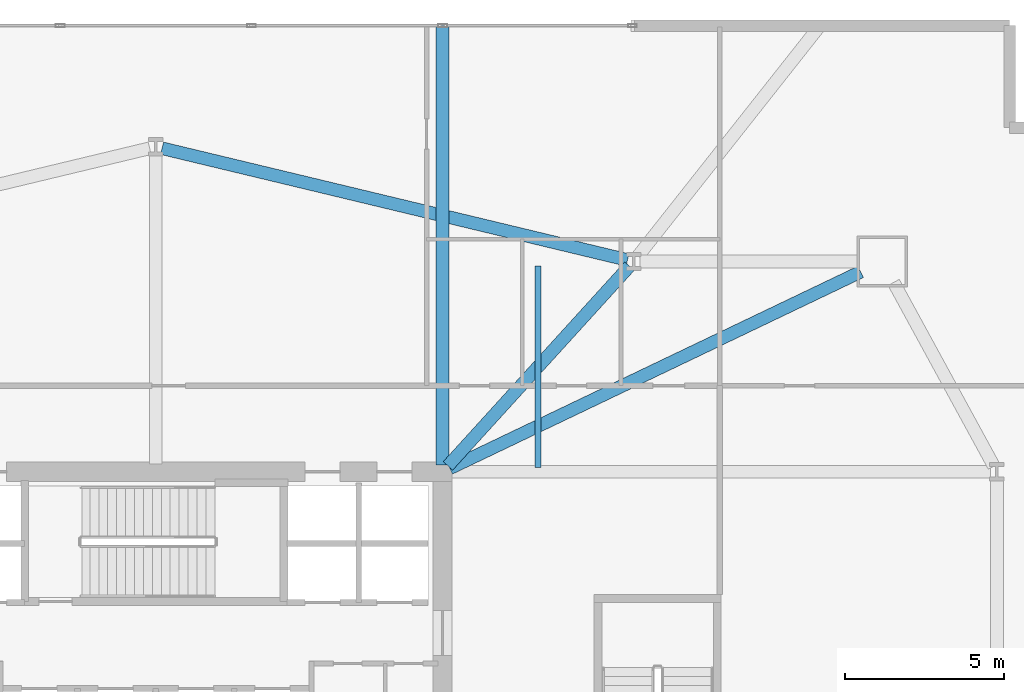
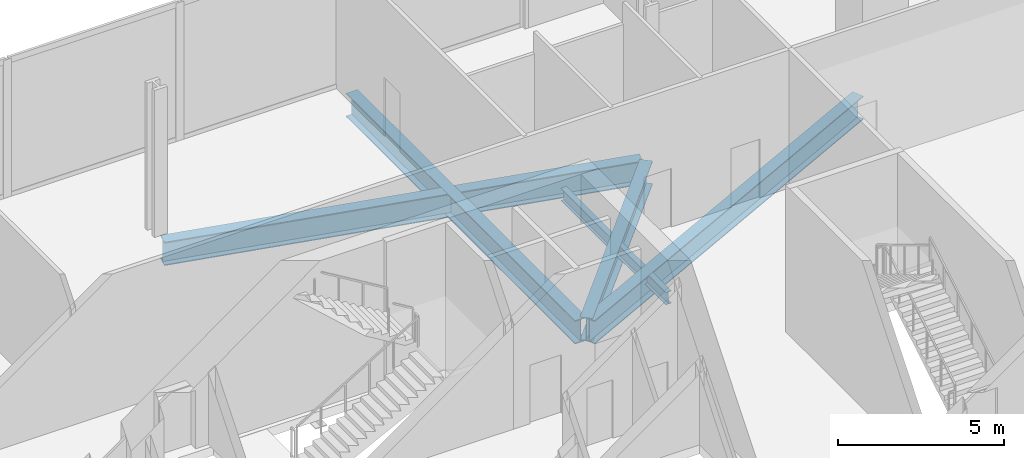
# One storey, part 7 of 20: 5 beams.
"""IFC4 building model written with IfcOpenShell, lengths in metres."""

from ifc_helpers import new_model, si_unit, direction, frame, origin, origin_2d, place, context, subcontext, project, spatial, i_section, extrude, material, material_profile, profile_set, type_object, element, save


model = new_model("IFC4")

# Units and contexts
model_context = context("Model", 3, precision=1e-05, world=origin(), true_north=direction((0.0, 1.0)))
body_context = subcontext(model_context, "Body", "Model", "MODEL_VIEW")
ifc_project = project(units=[si_unit("LENGTHUNIT", "METRE"), si_unit("AREAUNIT", "SQUARE_METRE"), si_unit("VOLUMEUNIT", "CUBIC_METRE"), si_unit("PLANEANGLEUNIT", "RADIAN"), si_unit("MASSUNIT", "GRAM", prefix="KILO")], contexts=[model_context])

# Site, building, storey
site_placement = place(None, origin())
site = spatial("IfcSite", under=ifc_project, at=site_placement, CompositionType="ELEMENT")
building_placement = place(site_placement, origin())
building = spatial("IfcBuilding", under=site, at=building_placement, Name="Haldenkirk Collegiate Tower", CompositionType="ELEMENT")
storey_placement = place(building_placement, frame((0.0, 0.0, 6.0)))
storey = spatial("IfcBuildingStorey", under=building, at=storey_placement, Name="L01", CompositionType="ELEMENT", Elevation=6.0)

# Beams
ifc_material = material(Name="Steel ASTM A992 Grade 50", Category="steel")
ifc_material_profile_1 = material_profile(ifc_material, i_section(OverallWidth=0.39990234375, OverallDepth=0.862060546875, WebThickness=0.019775390625, FlangeThickness=0.032470703125, at=origin_2d()), Name="W33X221")
ifc_profile_set_1 = profile_set([ifc_material_profile_1], Name="Steel ASTM A992 Grade 50")
beam_type_1 = type_object("IfcBeamType", Name="BM-GIRDER-W33X221", PredefinedType="BEAM", material=ifc_profile_set_1)
beam_1_placement = place(storey_placement, frame((45.0, 48.0, -0.760986328125), z_axis=(0.0, -1.0, 0.0), x_axis=(1.0, 0.0, 0.0)))
element("IfcBeam", 1, at=beam_1_placement, inside=storey, type_object=beam_type_1, Name="L01 outer podium tie girder 07", PredefinedType="BEAM", context=body_context, shape_type="SweptSolid", body=[
    extrude(i_section(OverallWidth=0.39990234375, OverallDepth=0.862060546875, WebThickness=0.019775390625, FlangeThickness=0.032470703125, at=origin_2d()), origin(), (0.0, 0.0, 1.0), 13.780029296875),
])
beam_2_placement = place(storey_placement, frame((50.805419921875, 40.646728515625, -0.760986328125), z_axis=(-0.972387449467, 0.233372337946, 0.0), x_axis=(-0.233372337946, -0.972387449467, 0.0)))
element("IfcBeam", 2, at=beam_2_placement, inside=storey, type_object=beam_type_1, Name="L01 podium ring girder 09", PredefinedType="BEAM", context=body_context, shape_type="SweptSolid", body=[
    extrude(i_section(OverallWidth=0.39990234375, OverallDepth=0.862060546875, WebThickness=0.019775390625, FlangeThickness=0.032470703125, at=origin_2d()), origin(), (0.0, 0.0, 1.0), 15.025634765625),
])
beam_3_placement = place(storey_placement, frame((50.865478515625, 40.451904296875, -0.760986328125), z_axis=(-0.672681402593, -0.739932247307, 0.0), x_axis=(0.739932247307, -0.672681402593, 0.0)))
element("IfcBeam", 3, at=beam_3_placement, inside=storey, type_object=beam_type_1, Name="L01 podium radial girder 10", PredefinedType="BEAM", context=body_context, shape_type="SweptSolid", body=[
    extrude(i_section(OverallWidth=0.39990234375, OverallDepth=0.862060546875, WebThickness=0.019775390625, FlangeThickness=0.032470703125, at=origin_2d()), origin(), (0.0, 0.0, 1.0), 8.469482421875),
])
beam_4_placement = place(storey_placement, frame((58.123291015625, 40.2763671875, -0.760986328125), z_axis=(-0.902134510622, -0.431454893058, 0.0), x_axis=(0.431454893058, -0.902134510622, 0.0)))
element("IfcBeam", 4, at=beam_4_placement, inside=storey, type_object=beam_type_1, Name="L01 podium radial girder 13", PredefinedType="BEAM", context=body_context, shape_type="SweptSolid", body=[
    extrude(i_section(OverallWidth=0.39990234375, OverallDepth=0.862060546875, WebThickness=0.019775390625, FlangeThickness=0.032470703125, at=origin_2d()), origin(), (0.0, 0.0, 1.0), 14.296875),
])
ifc_material_profile_2 = material_profile(ifc_material, i_section(OverallWidth=0.19189453125, OverallDepth=0.462890625, WebThickness=0.010498046875, FlangeThickness=0.017578125, at=origin_2d()), Name="W18X60")
ifc_profile_set_2 = profile_set([ifc_material_profile_2], Name="Steel ASTM A992 Grade 50")
beam_type_2 = type_object("IfcBeamType", Name="BM-JOIST-W18X60", PredefinedType="JOIST", material=ifc_profile_set_2)
beam_5_placement = place(storey_placement, frame((48.0, 34.139892578125, -0.5615234375), z_axis=(0.0, 1.0, 0.0), x_axis=(-1.0, 0.0, 0.0)))
element("IfcBeam", 5, at=beam_5_placement, inside=storey, type_object=beam_type_2, Name="L01 north bay floor joist 2", PredefinedType="JOIST", context=body_context, shape_type="SweptSolid", body=[
    extrude(i_section(OverallWidth=0.19189453125, OverallDepth=0.462890625, WebThickness=0.010498046875, FlangeThickness=0.017578125, at=origin_2d()), origin(), (0.0, 0.0, 1.0), 6.320068359375),
])

save(model, "model.ifc")
